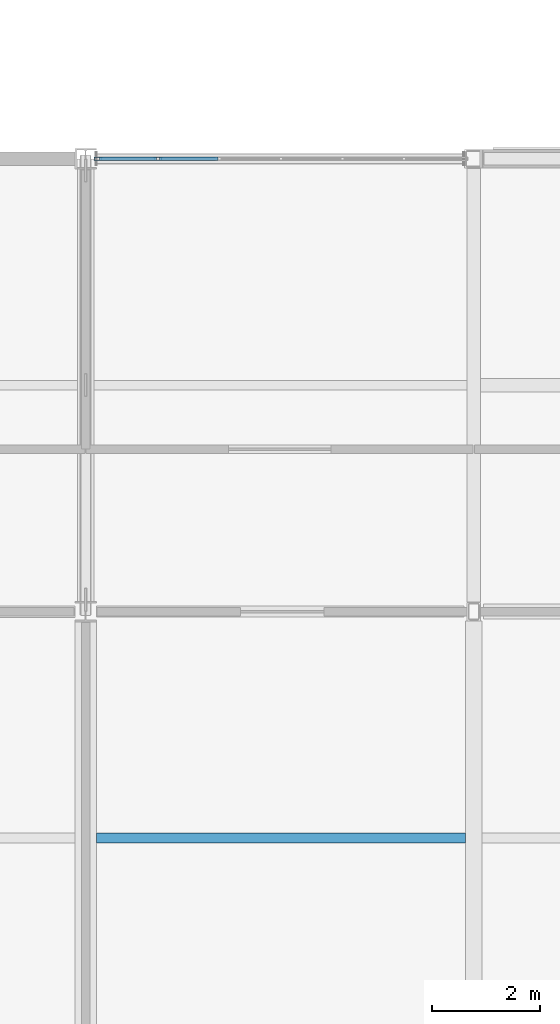
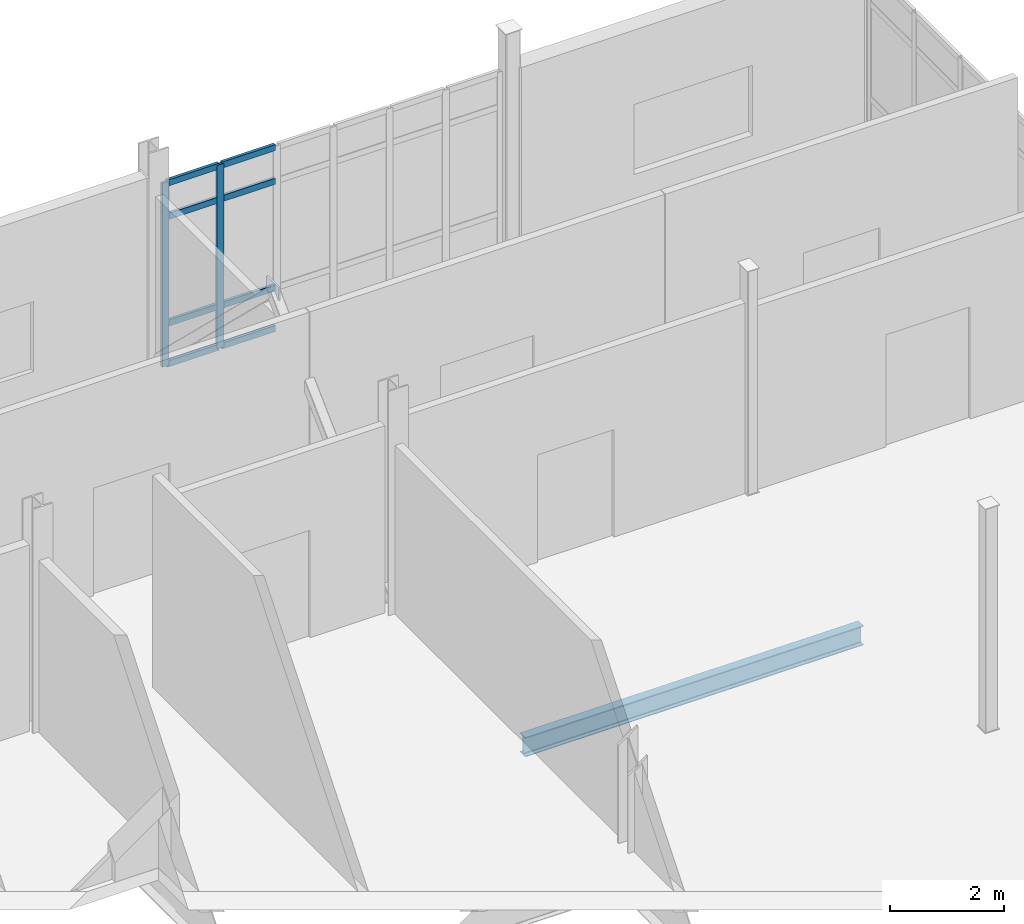
# One storey, part 83 of 153: 10 members, 1 beam, 1 element without a shape of its own.
"""IFC4 building model written with IfcOpenShell, lengths in metres."""

from ifc_helpers import new_model, si_unit, direction, frame, origin, origin_2d, place, context, subcontext, project, spatial, hollow_rectangle, i_section, extrude, material, layer, layer_set, material_profile, profile_set, type_object, element, aggregate, save


model = new_model("IFC4")

# Units and contexts
model_context = context("Model", 3, precision=1e-05, world=origin(), true_north=direction((0.0, 1.0)))
body_context = subcontext(model_context, "Body", "Model", "MODEL_VIEW")
ifc_project = project(units=[si_unit("LENGTHUNIT", "METRE"), si_unit("AREAUNIT", "SQUARE_METRE"), si_unit("VOLUMEUNIT", "CUBIC_METRE"), si_unit("PLANEANGLEUNIT", "RADIAN"), si_unit("MASSUNIT", "GRAM", prefix="KILO")], contexts=[model_context])

# Site, building, storey
site_placement = place(None, origin())
site = spatial("IfcSite", under=ifc_project, at=site_placement, CompositionType="ELEMENT")
building_placement = place(site_placement, origin())
building = spatial("IfcBuilding", under=site, at=building_placement, Name="Calvrana Isthmian Art Gallery", CompositionType="ELEMENT")
storey_placement = place(building_placement, frame((0.0, 0.0, 10.199951171875)))
storey = spatial("IfcBuildingStorey", under=building, at=storey_placement, Name="L02", CompositionType="ELEMENT", Elevation=10.199951171875)

# Beam
ifc_material_1 = material(Name="Steel ASTM A992 Gr 50", Category="steel")
ifc_material_profile_1 = material_profile(ifc_material_1, i_section(OverallWidth=0.179931640625, OverallDepth=0.4140625, WebThickness=0.009765625, FlangeThickness=0.01611328125, FilletRadius=0.01806640625, at=origin_2d()), Name="W16X50")
ifc_profile_set_1 = profile_set([ifc_material_profile_1], Name="Steel ASTM A992 Gr 50")
beam_type = type_object("IfcBeamType", Name="BM-J-W16X50", PredefinedType="JOIST", material=ifc_profile_set_1)
beam_placement = place(storey_placement, frame((141.800537109375, 34.199951171875, -0.471923828125), z_axis=(1.0, 0.0, 0.0), x_axis=(0.0, 1.0, 0.0)))
element("IfcBeam", 1, at=beam_placement, inside=storey, type_object=beam_type, Name="Composite joist L02 bay 18-04", PredefinedType="JOIST", context=body_context, shape_type="SweptSolid", body=[
    extrude(i_section(OverallWidth=0.179931640625, OverallDepth=0.4140625, WebThickness=0.009765625, FlangeThickness=0.01611328125, FilletRadius=0.01806640625, at=origin_2d()), origin(), (0.0, 0.0, 1.0), 6.845947265625),
])

# Curtain wall, members
ifc_material_2 = material(Name="Anodized bronze aluminium 6063-T6", Category="aluminium")
ifc_layer = layer(ifc_material_2, 0.179931640625, Name="Anodized bronze aluminium 6063-T6")
ifc_layer_set = layer_set([ifc_layer], Name="Anodized bronze aluminium 6063-T6")
curtain_wall_type = type_object("IfcCurtainWallType", Name="CW-STICK-068X39", PredefinedType="NOTDEFINED", material=ifc_layer_set)
curtain_wall_placement = place(storey_placement, origin())
curtain_wall = element("IfcCurtainWall", 2, at=curtain_wall_placement, inside=storey, type_object=curtain_wall_type, Name="Curtain wall CW-156", PredefinedType="NOTDEFINED")
ifc_material_profile_2 = material_profile(ifc_material_2, hollow_rectangle(XDim=0.06005859375, YDim=0.139892578125, WallThickness=0.00390625, at=origin_2d()), Name="CWM60X140")
ifc_profile_set_2 = profile_set([ifc_material_profile_2], Name="Anodized bronze aluminium 6063-T6")
member_type_1 = type_object("IfcMemberType", Name="CWM-CWM60X140", PredefinedType="MULLION", material=ifc_profile_set_2)
member_1_placement = place(storey_placement, frame((141.82958984375, 46.800048828125, 0.0), z_axis=(0.0, 0.0, 1.0), x_axis=(0.0, 1.0, 0.0)))
member_1 = element("IfcMember", 3, at=member_1_placement, type_object=member_type_1, Name="CW-156 mullion 1", PredefinedType="MULLION", context=body_context, shape_type="SweptSolid", body=[
    extrude(hollow_rectangle(XDim=0.06005859375, YDim=0.139892578125, WallThickness=0.00390625, at=origin_2d()), origin(), (0.0, 0.0, 1.0), 3.93310546875),
])
member_2_placement = place(storey_placement, frame((142.94091796875, 46.800048828125, 0.0), z_axis=(0.0, 0.0, 1.0), x_axis=(0.0, 1.0, 0.0)))
member_2 = element("IfcMember", 4, at=member_2_placement, type_object=member_type_1, Name="CW-156 mullion 2", PredefinedType="MULLION", context=body_context, shape_type="SweptSolid", body=[
    extrude(hollow_rectangle(XDim=0.06005859375, YDim=0.139892578125, WallThickness=0.00390625, at=origin_2d()), origin(), (0.0, 0.0, 1.0), 3.93310546875),
])
ifc_material_profile_3 = material_profile(ifc_material_2, hollow_rectangle(XDim=0.06005859375, YDim=0.1298828125, WallThickness=0.00390625, at=origin_2d()), Name="CWT60X130")
ifc_profile_set_3 = profile_set([ifc_material_profile_3], Name="Anodized bronze aluminium 6063-T6")
member_type_2 = type_object("IfcMemberType", Name="CWT-CWT60X130", PredefinedType="USERDEFINED", material=ifc_profile_set_3)
member_3_placement = place(storey_placement, frame((141.859619140625, 46.800048828125, 0.030029296875), z_axis=(1.0, 0.0, 0.0), x_axis=(0.0, 1.0, 0.0)))
member_3 = element("IfcMember", 5, at=member_3_placement, type_object=member_type_2, Name="CW-156 transom 1.1", ObjectType="TRANSOM", PredefinedType="USERDEFINED", context=body_context, shape_type="SweptSolid", body=[
    extrude(hollow_rectangle(XDim=0.06005859375, YDim=0.1298828125, WallThickness=0.00390625, at=origin_2d()), origin(), (0.0, 0.0, 1.0), 1.05126953125),
])
member_4_placement = place(storey_placement, frame((141.859619140625, 46.800048828125, 0.900146484375), z_axis=(1.0, 0.0, 0.0), x_axis=(0.0, 1.0, 0.0)))
member_4 = element("IfcMember", 6, at=member_4_placement, type_object=member_type_2, Name="CW-156 transom 1.2", ObjectType="TRANSOM", PredefinedType="USERDEFINED", context=body_context, shape_type="SweptSolid", body=[
    extrude(hollow_rectangle(XDim=0.06005859375, YDim=0.1298828125, WallThickness=0.00390625, at=origin_2d()), origin(), (0.0, 0.0, 1.0), 1.05126953125),
])
member_5_placement = place(storey_placement, frame((141.859619140625, 46.800048828125, 3.18310546875), z_axis=(1.0, 0.0, 0.0), x_axis=(0.0, 1.0, 0.0)))
member_5 = element("IfcMember", 7, at=member_5_placement, type_object=member_type_2, Name="CW-156 transom 1.3", ObjectType="TRANSOM", PredefinedType="USERDEFINED", context=body_context, shape_type="SweptSolid", body=[
    extrude(hollow_rectangle(XDim=0.06005859375, YDim=0.1298828125, WallThickness=0.00390625, at=origin_2d()), origin(), (0.0, 0.0, 1.0), 1.05126953125),
])
member_6_placement = place(storey_placement, frame((141.859619140625, 46.800048828125, 3.903076171875), z_axis=(1.0, 0.0, 0.0), x_axis=(0.0, 1.0, 0.0)))
member_6 = element("IfcMember", 8, at=member_6_placement, type_object=member_type_2, Name="CW-156 transom 1.4", ObjectType="TRANSOM", PredefinedType="USERDEFINED", context=body_context, shape_type="SweptSolid", body=[
    extrude(hollow_rectangle(XDim=0.06005859375, YDim=0.1298828125, WallThickness=0.00390625, at=origin_2d()), origin(), (0.0, 0.0, 1.0), 1.05126953125),
])
member_7_placement = place(storey_placement, frame((142.970947265625, 46.800048828125, 0.030029296875), z_axis=(1.0, 0.0, 0.0), x_axis=(0.0, 1.0, 0.0)))
member_7 = element("IfcMember", 9, at=member_7_placement, type_object=member_type_2, Name="CW-156 transom 2.1", ObjectType="TRANSOM", PredefinedType="USERDEFINED", context=body_context, shape_type="SweptSolid", body=[
    extrude(hollow_rectangle(XDim=0.06005859375, YDim=0.1298828125, WallThickness=0.00390625, at=origin_2d()), origin(), (0.0, 0.0, 1.0), 1.081298828125),
])
member_8_placement = place(storey_placement, frame((142.970947265625, 46.800048828125, 0.900146484375), z_axis=(1.0, 0.0, 0.0), x_axis=(0.0, 1.0, 0.0)))
member_8 = element("IfcMember", 10, at=member_8_placement, type_object=member_type_2, Name="CW-156 transom 2.2", ObjectType="TRANSOM", PredefinedType="USERDEFINED", context=body_context, shape_type="SweptSolid", body=[
    extrude(hollow_rectangle(XDim=0.06005859375, YDim=0.1298828125, WallThickness=0.00390625, at=origin_2d()), origin(), (0.0, 0.0, 1.0), 1.081298828125),
])
member_9_placement = place(storey_placement, frame((142.970947265625, 46.800048828125, 3.18310546875), z_axis=(1.0, 0.0, 0.0), x_axis=(0.0, 1.0, 0.0)))
member_9 = element("IfcMember", 11, at=member_9_placement, type_object=member_type_2, Name="CW-156 transom 2.3", ObjectType="TRANSOM", PredefinedType="USERDEFINED", context=body_context, shape_type="SweptSolid", body=[
    extrude(hollow_rectangle(XDim=0.06005859375, YDim=0.1298828125, WallThickness=0.00390625, at=origin_2d()), origin(), (0.0, 0.0, 1.0), 1.081298828125),
])
member_10_placement = place(storey_placement, frame((142.970947265625, 46.800048828125, 3.903076171875), z_axis=(1.0, 0.0, 0.0), x_axis=(0.0, 1.0, 0.0)))
member_10 = element("IfcMember", 12, at=member_10_placement, type_object=member_type_2, Name="CW-156 transom 2.4", ObjectType="TRANSOM", PredefinedType="USERDEFINED", context=body_context, shape_type="SweptSolid", body=[
    extrude(hollow_rectangle(XDim=0.06005859375, YDim=0.1298828125, WallThickness=0.00390625, at=origin_2d()), origin(), (0.0, 0.0, 1.0), 1.081298828125),
])
aggregate(curtain_wall, [member_1, member_2, member_3, member_4, member_5, member_6, member_7, member_8, member_9, member_10])

save(model, "model.ifc")
